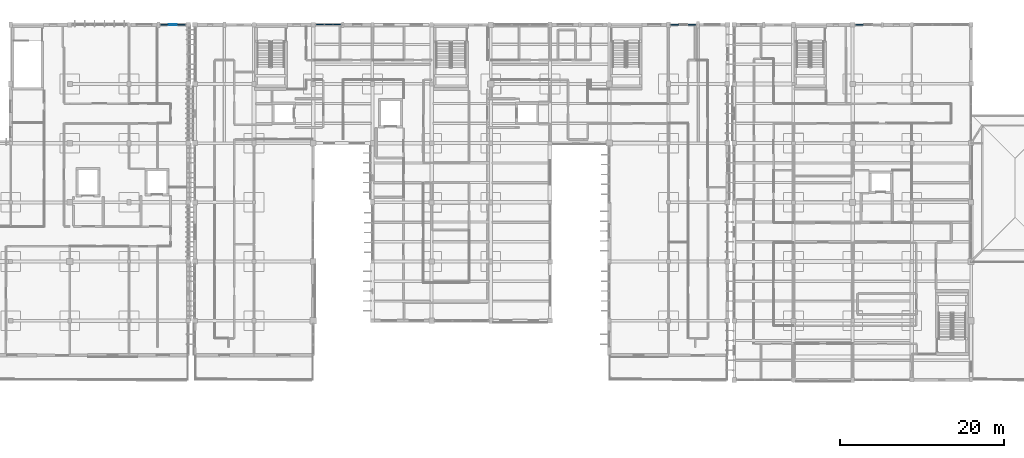
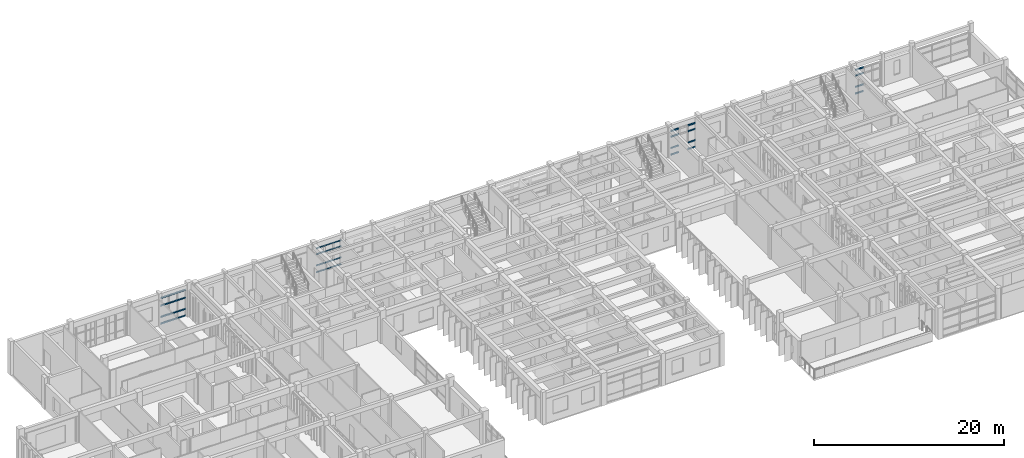
# One storey, part 23 of 55: 36 members, 4 elements without a shape of their own.
"""IFC4 building model written with IfcOpenShell, lengths in metres."""

from ifc_helpers import new_model, si_unit, direction, frame, origin, origin_2d, place, context, subcontext, project, spatial, rectangle, extrude, material, material_profile, profile_set, type_object, element, aggregate, save


model = new_model("IFC4")

# Units and contexts
model_context = context("Model", 3, precision=1e-05, world=origin(), true_north=direction((0.0, 1.0)))
body_context = subcontext(model_context, "Body", "Model", "MODEL_VIEW")
ifc_project = project(units=[si_unit("LENGTHUNIT", "METRE"), si_unit("AREAUNIT", "SQUARE_METRE"), si_unit("VOLUMEUNIT", "CUBIC_METRE"), si_unit("PLANEANGLEUNIT", "RADIAN"), si_unit("MASSUNIT", "GRAM", prefix="KILO")], contexts=[model_context])

# Site, building, storey
site_placement = place(None, origin())
site = spatial("IfcSite", under=ifc_project, at=site_placement, CompositionType="ELEMENT")
building_placement = place(site_placement, origin())
building = spatial("IfcBuilding", under=site, at=building_placement, Name="Steenspoor Specialist Clinic", CompositionType="ELEMENT")
storey_placement = place(building_placement, frame((0.0, 0.0, 13.199951171875)))
storey = spatial("IfcBuildingStorey", under=building, at=storey_placement, Name="L03", CompositionType="ELEMENT", Elevation=13.199951171875)

# Curtain wall, members
ifc_material_1 = material(Name="Thermally broken aluminium and low-emissivity glass", Category="aluminium")
curtain_wall_type_1 = type_object("IfcCurtainWallType", Name="CW-TYP-540X355", PredefinedType="USERDEFINED", material=ifc_material_1)
curtain_wall_1_placement = place(storey_placement, origin())
curtain_wall_1 = element("IfcCurtainWall", 1, at=curtain_wall_1_placement, inside=storey, type_object=curtain_wall_type_1, Name="Unitised Curtain Wall CW-V4-L03-107", ObjectType="UNITISED GLAZING", PredefinedType="USERDEFINED")
ifc_material_2 = material(Name="Thermally broken aluminium 6063-T6", Category="aluminium")
ifc_material_profile_1 = material_profile(ifc_material_2, rectangle(XDim=0.06494140625, YDim=0.1298828125, at=origin_2d()), Name="CWT-65X130")
ifc_profile_set_1 = profile_set([ifc_material_profile_1], Name="Thermally broken aluminium 6063-T6")
member_type_1 = type_object("IfcMemberType", Name="CW-TRAN-65X130", PredefinedType="USERDEFINED", material=ifc_profile_set_1)
member_1_placement = place(storey_placement, frame((67.1650390625, 108.35009765625, 0.032470703125), z_axis=(1.0, 0.0, 0.0), x_axis=(0.0, 1.0, 0.0)))
member_1 = element("IfcMember", 2, at=member_1_placement, type_object=member_type_1, Name="CW-11 transom 1.1", ObjectType="TRANSOM", PredefinedType="USERDEFINED", context=body_context, shape_type="SweptSolid", body=[
    extrude(rectangle(XDim=0.06494140625, YDim=0.1298828125, at=origin_2d()), origin(), (0.0, 0.0, 1.0), 0.92333984375),
])
member_2_placement = place(storey_placement, frame((67.1650390625, 108.35009765625, 0.900146484375), z_axis=(1.0, 0.0, 0.0), x_axis=(0.0, 1.0, 0.0)))
member_2 = element("IfcMember", 3, at=member_2_placement, type_object=member_type_1, Name="CW-11 transom 1.2", ObjectType="TRANSOM", PredefinedType="USERDEFINED", context=body_context, shape_type="SweptSolid", body=[
    extrude(rectangle(XDim=0.06494140625, YDim=0.1298828125, at=origin_2d()), origin(), (0.0, 0.0, 1.0), 0.92333984375),
])
member_3_placement = place(storey_placement, frame((67.1650390625, 108.35009765625, 2.35009765625), z_axis=(1.0, 0.0, 0.0), x_axis=(0.0, 1.0, 0.0)))
member_3 = element("IfcMember", 4, at=member_3_placement, type_object=member_type_1, Name="CW-11 transom 1.3", ObjectType="TRANSOM", PredefinedType="USERDEFINED", context=body_context, shape_type="SweptSolid", body=[
    extrude(rectangle(XDim=0.06494140625, YDim=0.1298828125, at=origin_2d()), origin(), (0.0, 0.0, 1.0), 0.92333984375),
])
member_4_placement = place(storey_placement, frame((67.1650390625, 108.35009765625, 3.09765625), z_axis=(1.0, 0.0, 0.0), x_axis=(0.0, 1.0, 0.0)))
member_4 = element("IfcMember", 5, at=member_4_placement, type_object=member_type_1, Name="CW-11 transom 1.4", ObjectType="TRANSOM", PredefinedType="USERDEFINED", context=body_context, shape_type="SweptSolid", body=[
    extrude(rectangle(XDim=0.06494140625, YDim=0.1298828125, at=origin_2d()), origin(), (0.0, 0.0, 1.0), 0.92333984375),
])
member_5_placement = place(storey_placement, frame((68.17822265625, 108.35009765625, 0.032470703125), z_axis=(1.0, 0.0, 0.0), x_axis=(0.0, 1.0, 0.0)))
member_5 = element("IfcMember", 6, at=member_5_placement, type_object=member_type_1, Name="CW-11 transom 2.1", ObjectType="TRANSOM", PredefinedType="USERDEFINED", context=body_context, shape_type="SweptSolid", body=[
    extrude(rectangle(XDim=0.06494140625, YDim=0.1298828125, at=origin_2d()), origin(), (0.0, 0.0, 1.0), 0.968505859375),
])
member_6_placement = place(storey_placement, frame((68.17822265625, 108.35009765625, 0.900146484375), z_axis=(1.0, 0.0, 0.0), x_axis=(0.0, 1.0, 0.0)))
member_6 = element("IfcMember", 7, at=member_6_placement, type_object=member_type_1, Name="CW-11 transom 2.2", ObjectType="TRANSOM", PredefinedType="USERDEFINED", context=body_context, shape_type="SweptSolid", body=[
    extrude(rectangle(XDim=0.06494140625, YDim=0.1298828125, at=origin_2d()), origin(), (0.0, 0.0, 1.0), 0.968505859375),
])
member_7_placement = place(storey_placement, frame((68.17822265625, 108.35009765625, 2.35009765625), z_axis=(1.0, 0.0, 0.0), x_axis=(0.0, 1.0, 0.0)))
member_7 = element("IfcMember", 8, at=member_7_placement, type_object=member_type_1, Name="CW-11 transom 2.3", ObjectType="TRANSOM", PredefinedType="USERDEFINED", context=body_context, shape_type="SweptSolid", body=[
    extrude(rectangle(XDim=0.06494140625, YDim=0.1298828125, at=origin_2d()), origin(), (0.0, 0.0, 1.0), 0.968505859375),
])
member_8_placement = place(storey_placement, frame((68.17822265625, 108.35009765625, 3.09765625), z_axis=(1.0, 0.0, 0.0), x_axis=(0.0, 1.0, 0.0)))
member_8 = element("IfcMember", 9, at=member_8_placement, type_object=member_type_1, Name="CW-11 transom 2.4", ObjectType="TRANSOM", PredefinedType="USERDEFINED", context=body_context, shape_type="SweptSolid", body=[
    extrude(rectangle(XDim=0.06494140625, YDim=0.1298828125, at=origin_2d()), origin(), (0.0, 0.0, 1.0), 0.968505859375),
])
member_9_placement = place(storey_placement, frame((69.236572265625, 108.35009765625, 0.032470703125), z_axis=(1.0, 0.0, 0.0), x_axis=(0.0, 1.0, 0.0)))
member_9 = element("IfcMember", 10, at=member_9_placement, type_object=member_type_1, Name="CW-11 transom 3.1", ObjectType="TRANSOM", PredefinedType="USERDEFINED", context=body_context, shape_type="SweptSolid", body=[
    extrude(rectangle(XDim=0.06494140625, YDim=0.1298828125, at=origin_2d()), origin(), (0.0, 0.0, 1.0), 0.92333984375),
])
member_10_placement = place(storey_placement, frame((69.236572265625, 108.35009765625, 0.900146484375), z_axis=(1.0, 0.0, 0.0), x_axis=(0.0, 1.0, 0.0)))
member_10 = element("IfcMember", 11, at=member_10_placement, type_object=member_type_1, Name="CW-11 transom 3.2", ObjectType="TRANSOM", PredefinedType="USERDEFINED", context=body_context, shape_type="SweptSolid", body=[
    extrude(rectangle(XDim=0.06494140625, YDim=0.1298828125, at=origin_2d()), origin(), (0.0, 0.0, 1.0), 0.92333984375),
])
member_11_placement = place(storey_placement, frame((69.236572265625, 108.35009765625, 2.35009765625), z_axis=(1.0, 0.0, 0.0), x_axis=(0.0, 1.0, 0.0)))
member_11 = element("IfcMember", 12, at=member_11_placement, type_object=member_type_1, Name="CW-11 transom 3.3", ObjectType="TRANSOM", PredefinedType="USERDEFINED", context=body_context, shape_type="SweptSolid", body=[
    extrude(rectangle(XDim=0.06494140625, YDim=0.1298828125, at=origin_2d()), origin(), (0.0, 0.0, 1.0), 0.92333984375),
])
member_12_placement = place(storey_placement, frame((69.236572265625, 108.35009765625, 3.09765625), z_axis=(1.0, 0.0, 0.0), x_axis=(0.0, 1.0, 0.0)))
member_12 = element("IfcMember", 13, at=member_12_placement, type_object=member_type_1, Name="CW-11 transom 3.4", ObjectType="TRANSOM", PredefinedType="USERDEFINED", context=body_context, shape_type="SweptSolid", body=[
    extrude(rectangle(XDim=0.06494140625, YDim=0.1298828125, at=origin_2d()), origin(), (0.0, 0.0, 1.0), 0.92333984375),
])
aggregate(curtain_wall_1, [member_1, member_2, member_3, member_4, member_5, member_6, member_7, member_8, member_9, member_10, member_11, member_12])

curtain_wall_type_2 = type_object("IfcCurtainWallType", Name="CW-TYP-420X355", PredefinedType="USERDEFINED", material=ifc_material_1)
curtain_wall_2_placement = place(storey_placement, origin())
curtain_wall_2 = element("IfcCurtainWall", 14, at=curtain_wall_2_placement, inside=storey, type_object=curtain_wall_type_2, Name="Unitised Curtain Wall CW-V4-L03-109", ObjectType="UNITISED GLAZING", PredefinedType="USERDEFINED")
ifc_material_profile_2 = material_profile(ifc_material_2, rectangle(XDim=0.090087890625, YDim=0.175048828125, at=origin_2d()), Name="CWT-90X175")
ifc_profile_set_2 = profile_set([ifc_material_profile_2], Name="Thermally broken aluminium 6063-T6")
member_type_2 = type_object("IfcMemberType", Name="CW-TRAN-90X175", PredefinedType="USERDEFINED", material=ifc_profile_set_2)
member_13_placement = place(storey_placement, frame((110.304931640625, 108.35009765625, 0.045166015625), z_axis=(1.0, 0.0, 0.0), x_axis=(0.0, 1.0, 0.0)))
member_13 = element("IfcMember", 15, at=member_13_placement, type_object=member_type_2, Name="CW-13 transom 1.1", ObjectType="TRANSOM", PredefinedType="USERDEFINED", context=body_context, shape_type="SweptSolid", body=[
    extrude(rectangle(XDim=0.090087890625, YDim=0.175048828125, at=origin_2d()), origin(), (0.0, 0.0, 1.0), 0.941650390625),
])
member_14_placement = place(storey_placement, frame((110.304931640625, 108.35009765625, 0.900146484375), z_axis=(1.0, 0.0, 0.0), x_axis=(0.0, 1.0, 0.0)))
member_14 = element("IfcMember", 16, at=member_14_placement, type_object=member_type_2, Name="CW-13 transom 1.2", ObjectType="TRANSOM", PredefinedType="USERDEFINED", context=body_context, shape_type="SweptSolid", body=[
    extrude(rectangle(XDim=0.090087890625, YDim=0.175048828125, at=origin_2d()), origin(), (0.0, 0.0, 1.0), 0.941650390625),
])
member_15_placement = place(storey_placement, frame((110.304931640625, 108.35009765625, 2.35009765625), z_axis=(1.0, 0.0, 0.0), x_axis=(0.0, 1.0, 0.0)))
member_15 = element("IfcMember", 17, at=member_15_placement, type_object=member_type_2, Name="CW-13 transom 1.3", ObjectType="TRANSOM", PredefinedType="USERDEFINED", context=body_context, shape_type="SweptSolid", body=[
    extrude(rectangle(XDim=0.090087890625, YDim=0.175048828125, at=origin_2d()), origin(), (0.0, 0.0, 1.0), 0.941650390625),
])
member_16_placement = place(storey_placement, frame((110.304931640625, 108.35009765625, 3.0849609375), z_axis=(1.0, 0.0, 0.0), x_axis=(0.0, 1.0, 0.0)))
member_16 = element("IfcMember", 18, at=member_16_placement, type_object=member_type_2, Name="CW-13 transom 1.4", ObjectType="TRANSOM", PredefinedType="USERDEFINED", context=body_context, shape_type="SweptSolid", body=[
    extrude(rectangle(XDim=0.090087890625, YDim=0.175048828125, at=origin_2d()), origin(), (0.0, 0.0, 1.0), 0.941650390625),
])
member_17_placement = place(storey_placement, frame((112.388427734375, 108.35009765625, 0.045166015625), z_axis=(1.0, 0.0, 0.0), x_axis=(0.0, 1.0, 0.0)))
member_17 = element("IfcMember", 19, at=member_17_placement, type_object=member_type_2, Name="CW-13 transom 3.1", ObjectType="TRANSOM", PredefinedType="USERDEFINED", context=body_context, shape_type="SweptSolid", body=[
    extrude(rectangle(XDim=0.090087890625, YDim=0.175048828125, at=origin_2d()), origin(), (0.0, 0.0, 1.0), 0.941650390625),
])
member_18_placement = place(storey_placement, frame((112.388427734375, 108.35009765625, 0.900146484375), z_axis=(1.0, 0.0, 0.0), x_axis=(0.0, 1.0, 0.0)))
member_18 = element("IfcMember", 20, at=member_18_placement, type_object=member_type_2, Name="CW-13 transom 3.2", ObjectType="TRANSOM", PredefinedType="USERDEFINED", context=body_context, shape_type="SweptSolid", body=[
    extrude(rectangle(XDim=0.090087890625, YDim=0.175048828125, at=origin_2d()), origin(), (0.0, 0.0, 1.0), 0.941650390625),
])
member_19_placement = place(storey_placement, frame((112.388427734375, 108.35009765625, 2.35009765625), z_axis=(1.0, 0.0, 0.0), x_axis=(0.0, 1.0, 0.0)))
member_19 = element("IfcMember", 21, at=member_19_placement, type_object=member_type_2, Name="CW-13 transom 3.3", ObjectType="TRANSOM", PredefinedType="USERDEFINED", context=body_context, shape_type="SweptSolid", body=[
    extrude(rectangle(XDim=0.090087890625, YDim=0.175048828125, at=origin_2d()), origin(), (0.0, 0.0, 1.0), 0.941650390625),
])
member_20_placement = place(storey_placement, frame((112.388427734375, 108.35009765625, 3.0849609375), z_axis=(1.0, 0.0, 0.0), x_axis=(0.0, 1.0, 0.0)))
member_20 = element("IfcMember", 22, at=member_20_placement, type_object=member_type_2, Name="CW-13 transom 3.4", ObjectType="TRANSOM", PredefinedType="USERDEFINED", context=body_context, shape_type="SweptSolid", body=[
    extrude(rectangle(XDim=0.090087890625, YDim=0.175048828125, at=origin_2d()), origin(), (0.0, 0.0, 1.0), 0.941650390625),
])
aggregate(curtain_wall_2, [member_13, member_14, member_15, member_16, member_17, member_18, member_19, member_20])

curtain_wall_type_3 = type_object("IfcCurtainWallType", Name="CW-TYP-300X355", PredefinedType="USERDEFINED", material=ifc_material_1)
curtain_wall_3_placement = place(storey_placement, origin())
curtain_wall_3 = element("IfcCurtainWall", 23, at=curtain_wall_3_placement, inside=storey, type_object=curtain_wall_type_3, Name="Unitised Curtain Wall CW-V5-L03-159", ObjectType="UNITISED GLAZING", PredefinedType="USERDEFINED")
member_21_placement = place(storey_placement, frame((48.235107421875, 108.35009765625, 0.045166015625), z_axis=(1.0, 0.0, 0.0), x_axis=(0.0, 1.0, 0.0)))
member_21 = element("IfcMember", 24, at=member_21_placement, type_object=member_type_2, Name="CW-15 transom 1.1", ObjectType="TRANSOM", PredefinedType="USERDEFINED", context=body_context, shape_type="SweptSolid", body=[
    extrude(rectangle(XDim=0.090087890625, YDim=0.175048828125, at=origin_2d()), origin(), (0.0, 0.0, 1.0), 0.94580078125),
])
member_22_placement = place(storey_placement, frame((48.235107421875, 108.35009765625, 0.900146484375), z_axis=(1.0, 0.0, 0.0), x_axis=(0.0, 1.0, 0.0)))
member_22 = element("IfcMember", 25, at=member_22_placement, type_object=member_type_2, Name="CW-15 transom 1.2", ObjectType="TRANSOM", PredefinedType="USERDEFINED", context=body_context, shape_type="SweptSolid", body=[
    extrude(rectangle(XDim=0.090087890625, YDim=0.175048828125, at=origin_2d()), origin(), (0.0, 0.0, 1.0), 0.94580078125),
])
member_23_placement = place(storey_placement, frame((48.235107421875, 108.35009765625, 2.35009765625), z_axis=(1.0, 0.0, 0.0), x_axis=(0.0, 1.0, 0.0)))
member_23 = element("IfcMember", 26, at=member_23_placement, type_object=member_type_2, Name="CW-15 transom 1.3", ObjectType="TRANSOM", PredefinedType="USERDEFINED", context=body_context, shape_type="SweptSolid", body=[
    extrude(rectangle(XDim=0.090087890625, YDim=0.175048828125, at=origin_2d()), origin(), (0.0, 0.0, 1.0), 0.94580078125),
])
member_24_placement = place(storey_placement, frame((48.235107421875, 108.35009765625, 3.3349609375), z_axis=(1.0, 0.0, 0.0), x_axis=(0.0, 1.0, 0.0)))
member_24 = element("IfcMember", 27, at=member_24_placement, type_object=member_type_2, Name="CW-15 transom 1.4", ObjectType="TRANSOM", PredefinedType="USERDEFINED", context=body_context, shape_type="SweptSolid", body=[
    extrude(rectangle(XDim=0.090087890625, YDim=0.175048828125, at=origin_2d()), origin(), (0.0, 0.0, 1.0), 0.94580078125),
])
member_25_placement = place(storey_placement, frame((49.245849609375, 108.35009765625, 0.045166015625), z_axis=(1.0, 0.0, 0.0), x_axis=(0.0, 1.0, 0.0)))
member_25 = element("IfcMember", 28, at=member_25_placement, type_object=member_type_2, Name="CW-15 transom 2.1", ObjectType="TRANSOM", PredefinedType="USERDEFINED", context=body_context, shape_type="SweptSolid", body=[
    extrude(rectangle(XDim=0.090087890625, YDim=0.175048828125, at=origin_2d()), origin(), (0.0, 0.0, 1.0), 0.978271484375),
])
member_26_placement = place(storey_placement, frame((49.245849609375, 108.35009765625, 0.900146484375), z_axis=(1.0, 0.0, 0.0), x_axis=(0.0, 1.0, 0.0)))
member_26 = element("IfcMember", 29, at=member_26_placement, type_object=member_type_2, Name="CW-15 transom 2.2", ObjectType="TRANSOM", PredefinedType="USERDEFINED", context=body_context, shape_type="SweptSolid", body=[
    extrude(rectangle(XDim=0.090087890625, YDim=0.175048828125, at=origin_2d()), origin(), (0.0, 0.0, 1.0), 0.978271484375),
])
member_27_placement = place(storey_placement, frame((49.245849609375, 108.35009765625, 2.35009765625), z_axis=(1.0, 0.0, 0.0), x_axis=(0.0, 1.0, 0.0)))
member_27 = element("IfcMember", 30, at=member_27_placement, type_object=member_type_2, Name="CW-15 transom 2.3", ObjectType="TRANSOM", PredefinedType="USERDEFINED", context=body_context, shape_type="SweptSolid", body=[
    extrude(rectangle(XDim=0.090087890625, YDim=0.175048828125, at=origin_2d()), origin(), (0.0, 0.0, 1.0), 0.978271484375),
])
member_28_placement = place(storey_placement, frame((49.245849609375, 108.35009765625, 3.3349609375), z_axis=(1.0, 0.0, 0.0), x_axis=(0.0, 1.0, 0.0)))
member_28 = element("IfcMember", 31, at=member_28_placement, type_object=member_type_2, Name="CW-15 transom 2.4", ObjectType="TRANSOM", PredefinedType="USERDEFINED", context=body_context, shape_type="SweptSolid", body=[
    extrude(rectangle(XDim=0.090087890625, YDim=0.175048828125, at=origin_2d()), origin(), (0.0, 0.0, 1.0), 0.978271484375),
])
member_29_placement = place(storey_placement, frame((50.2890625, 108.35009765625, 0.045166015625), z_axis=(1.0, 0.0, 0.0), x_axis=(0.0, 1.0, 0.0)))
member_29 = element("IfcMember", 32, at=member_29_placement, type_object=member_type_2, Name="CW-15 transom 3.1", ObjectType="TRANSOM", PredefinedType="USERDEFINED", context=body_context, shape_type="SweptSolid", body=[
    extrude(rectangle(XDim=0.090087890625, YDim=0.175048828125, at=origin_2d()), origin(), (0.0, 0.0, 1.0), 0.946044921875),
])
member_30_placement = place(storey_placement, frame((50.2890625, 108.35009765625, 0.900146484375), z_axis=(1.0, 0.0, 0.0), x_axis=(0.0, 1.0, 0.0)))
member_30 = element("IfcMember", 33, at=member_30_placement, type_object=member_type_2, Name="CW-15 transom 3.2", ObjectType="TRANSOM", PredefinedType="USERDEFINED", context=body_context, shape_type="SweptSolid", body=[
    extrude(rectangle(XDim=0.090087890625, YDim=0.175048828125, at=origin_2d()), origin(), (0.0, 0.0, 1.0), 0.946044921875),
])
member_31_placement = place(storey_placement, frame((50.2890625, 108.35009765625, 2.35009765625), z_axis=(1.0, 0.0, 0.0), x_axis=(0.0, 1.0, 0.0)))
member_31 = element("IfcMember", 34, at=member_31_placement, type_object=member_type_2, Name="CW-15 transom 3.3", ObjectType="TRANSOM", PredefinedType="USERDEFINED", context=body_context, shape_type="SweptSolid", body=[
    extrude(rectangle(XDim=0.090087890625, YDim=0.175048828125, at=origin_2d()), origin(), (0.0, 0.0, 1.0), 0.946044921875),
])
member_32_placement = place(storey_placement, frame((50.2890625, 108.35009765625, 3.3349609375), z_axis=(1.0, 0.0, 0.0), x_axis=(0.0, 1.0, 0.0)))
member_32 = element("IfcMember", 35, at=member_32_placement, type_object=member_type_2, Name="CW-15 transom 3.4", ObjectType="TRANSOM", PredefinedType="USERDEFINED", context=body_context, shape_type="SweptSolid", body=[
    extrude(rectangle(XDim=0.090087890625, YDim=0.175048828125, at=origin_2d()), origin(), (0.0, 0.0, 1.0), 0.946044921875),
])
aggregate(curtain_wall_3, [member_21, member_22, member_23, member_24, member_25, member_26, member_27, member_28, member_29, member_30, member_31, member_32])

curtain_wall_type_4 = type_object("IfcCurtainWallType", Name="CW-L00-360X415", PredefinedType="USERDEFINED", material=ifc_material_1)
curtain_wall_4_placement = place(storey_placement, origin())
curtain_wall_4 = element("IfcCurtainWall", 36, at=curtain_wall_4_placement, inside=storey, type_object=curtain_wall_type_4, Name="Unitised Curtain Wall CW-V6-L03-199", ObjectType="UNITISED GLAZING", PredefinedType="USERDEFINED")
member_33_placement = place(storey_placement, frame((132.780029296875, 108.35009765625, 0.045166015625), z_axis=(1.0, 0.0, 0.0), x_axis=(0.0, 1.0, 0.0)))
member_33 = element("IfcMember", 37, at=member_33_placement, type_object=member_type_2, Name="CW-07 transom 1.1", ObjectType="TRANSOM", PredefinedType="USERDEFINED", context=body_context, shape_type="SweptSolid", body=[
    extrude(rectangle(XDim=0.090087890625, YDim=0.175048828125, at=origin_2d()), origin(), (0.0, 0.0, 1.0), 0.933349609375),
])
member_34_placement = place(storey_placement, frame((132.780029296875, 108.35009765625, 0.900146484375), z_axis=(1.0, 0.0, 0.0), x_axis=(0.0, 1.0, 0.0)))
member_34 = element("IfcMember", 38, at=member_34_placement, type_object=member_type_2, Name="CW-07 transom 1.2", ObjectType="TRANSOM", PredefinedType="USERDEFINED", context=body_context, shape_type="SweptSolid", body=[
    extrude(rectangle(XDim=0.090087890625, YDim=0.175048828125, at=origin_2d()), origin(), (0.0, 0.0, 1.0), 0.933349609375),
])
member_35_placement = place(storey_placement, frame((132.780029296875, 108.35009765625, 2.35009765625), z_axis=(1.0, 0.0, 0.0), x_axis=(0.0, 1.0, 0.0)))
member_35 = element("IfcMember", 39, at=member_35_placement, type_object=member_type_2, Name="CW-07 transom 1.3", ObjectType="TRANSOM", PredefinedType="USERDEFINED", context=body_context, shape_type="SweptSolid", body=[
    extrude(rectangle(XDim=0.090087890625, YDim=0.175048828125, at=origin_2d()), origin(), (0.0, 0.0, 1.0), 0.933349609375),
])
member_36_placement = place(storey_placement, frame((132.780029296875, 108.35009765625, 3.0849609375), z_axis=(1.0, 0.0, 0.0), x_axis=(0.0, 1.0, 0.0)))
member_36 = element("IfcMember", 40, at=member_36_placement, type_object=member_type_2, Name="CW-07 transom 1.4", ObjectType="TRANSOM", PredefinedType="USERDEFINED", context=body_context, shape_type="SweptSolid", body=[
    extrude(rectangle(XDim=0.090087890625, YDim=0.175048828125, at=origin_2d()), origin(), (0.0, 0.0, 1.0), 0.933349609375),
])
aggregate(curtain_wall_4, [member_33, member_34, member_35, member_36])

save(model, "model.ifc")
